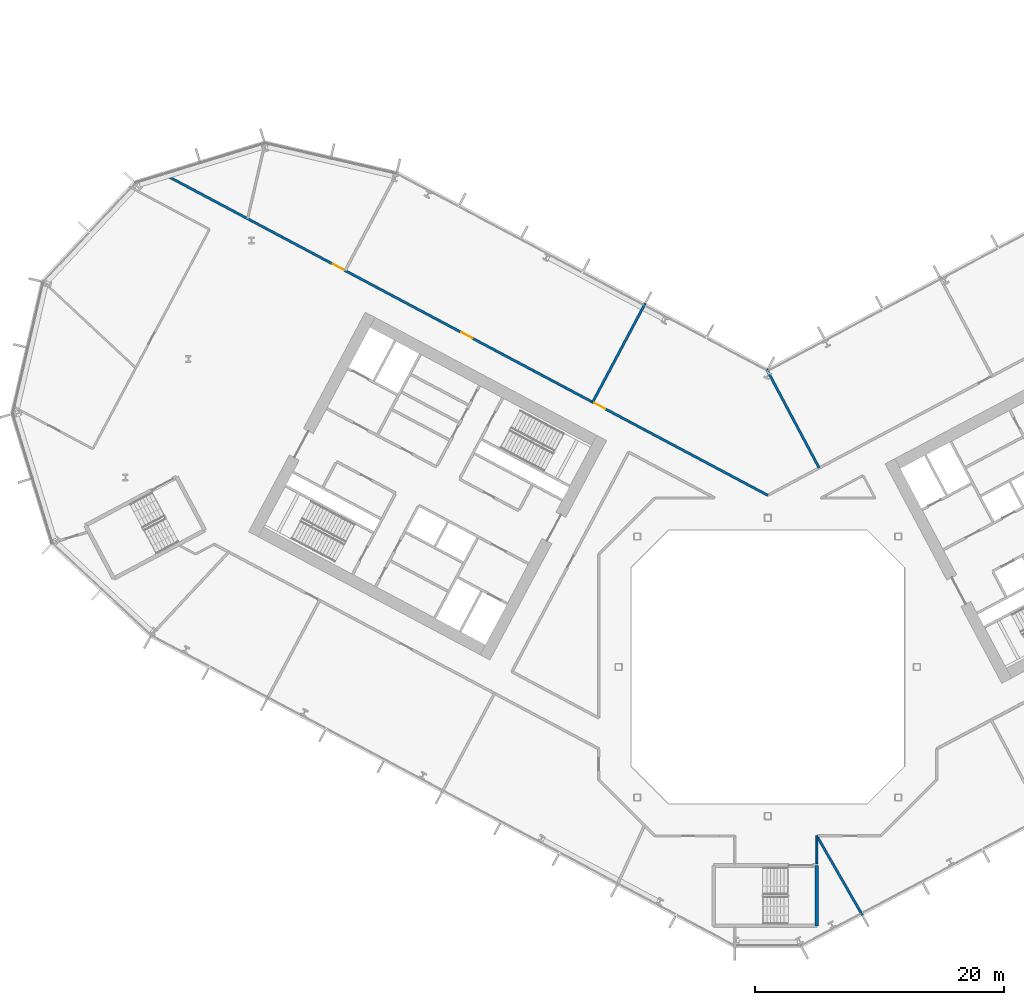
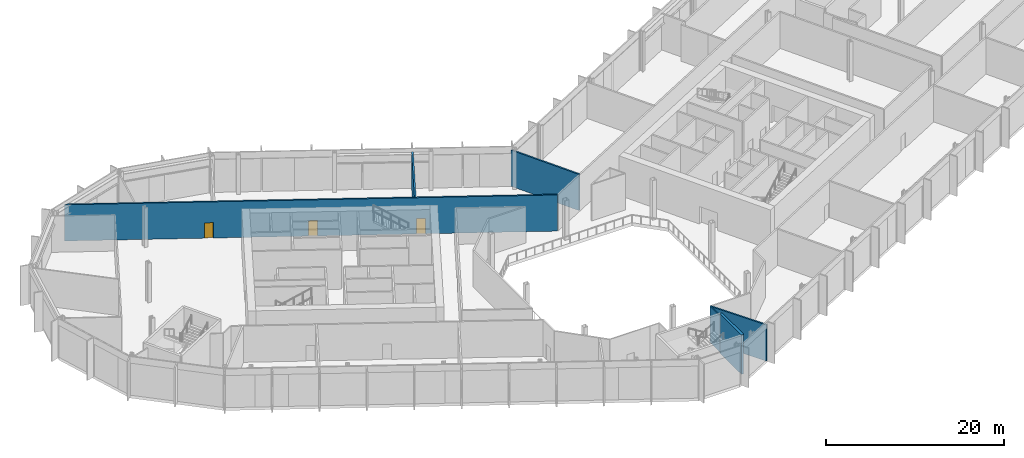
# One storey, part 14 of 31: 6 walls, 3 doors, 3 openings.
"""IFC4 building model written with IfcOpenShell, lengths in metres."""

from ifc_helpers import new_model, si_unit, direction, frame, frame_2d, origin, place, context, subcontext, project, spatial, rectangle, extrude, material, layer, layer_set, type_object, element, fill, save


model = new_model("IFC4")

# Units and contexts
model_context = context("Model", 3, precision=1e-05, world=origin(), true_north=direction((0.0, 1.0)))
body_context = subcontext(model_context, "Body", "Model", "MODEL_VIEW")
ifc_project = project(units=[si_unit("LENGTHUNIT", "METRE"), si_unit("AREAUNIT", "SQUARE_METRE"), si_unit("VOLUMEUNIT", "CUBIC_METRE"), si_unit("PLANEANGLEUNIT", "RADIAN"), si_unit("MASSUNIT", "GRAM", prefix="KILO")], contexts=[model_context])

# Site, building, storey
site_placement = place(None, origin())
site = spatial("IfcSite", under=ifc_project, at=site_placement, CompositionType="ELEMENT")
building_placement = place(site_placement, origin())
building = spatial("IfcBuilding", under=site, at=building_placement, Name="Cormorant Relay Tower", CompositionType="ELEMENT")
storey_placement = place(building_placement, frame((0.0, 0.0, 33.800048828125)))
storey = spatial("IfcBuildingStorey", under=building, at=storey_placement, Name="L06", CompositionType="ELEMENT", Elevation=33.800048828125)

# Wall, openings, doors
ifc_material_1 = material(Name="Fire-rated gypsum board partition")
ifc_layer_1 = layer(ifc_material_1, 0.199951171875)
ifc_layer_set_1 = layer_set([ifc_layer_1], Name="Fire-rated gypsum partition 200")
wall_type_1 = type_object("IfcWallType", Name="Fire-rated gypsum partition 200", PredefinedType="PARTITIONING", material=ifc_layer_set_1)
wall_1_placement = place(storey_placement, frame((-48.81396484375, 39.77001953125, 0.0), z_axis=(0.0, 0.0, 1.0), x_axis=(0.882945848707, -0.469474843043, 0.0)))
wall_1 = element("IfcWall", 1, at=wall_1_placement, inside=storey, type_object=wall_type_1, Name="wall/L06/part/8", PredefinedType="PARTITIONING", context=body_context, shape_type="SweptSolid", body=[
    extrude(rectangle(XDim=55.285400390625, YDim=0.199951171875, at=frame_2d((27.642578125, 0.0))), origin(), (0.0, 0.0, 1.0), 4.949951171875),
])
opening_1_placement = place(wall_1_placement, frame((39.465087890625, 0.0, 0.0)))
opening_1 = element("IfcOpeningElement", 2, at=opening_1_placement, cuts=wall_1, Name="Opening FD1-044", PredefinedType="OPENING", context=body_context, shape_type="SweptSolid", body=[
    extrude(rectangle(XDim=1.0, YDim=2.10009765625, at=frame_2d((0.5, 1.050048828125))), frame((0.0, 0.10986328125, 0.0), z_axis=(0.0, -1.0, 0.0), x_axis=(1.0, 0.0, 0.0)), (0.0, 0.0, 1.0), 0.219970703125),
])
opening_2_placement = place(wall_1_placement, frame((27.365966796875, 0.0, 0.0)))
opening_2 = element("IfcOpeningElement", 3, at=opening_2_placement, cuts=wall_1, Name="Opening FD1-045", PredefinedType="OPENING", context=body_context, shape_type="SweptSolid", body=[
    extrude(rectangle(XDim=1.0, YDim=2.10009765625, at=frame_2d((0.5, 1.050048828125))), frame((0.0, 0.10986328125, 0.0), z_axis=(0.0, -1.0, 0.0), x_axis=(1.0, 0.0, 0.0)), (0.0, 0.0, 1.0), 0.219970703125),
])
opening_3_placement = place(wall_1_placement, frame((15.6650390625, 0.0, 0.0)))
opening_3 = element("IfcOpeningElement", 4, at=opening_3_placement, cuts=wall_1, Name="Opening FD1-046", PredefinedType="OPENING", context=body_context, shape_type="SweptSolid", body=[
    extrude(rectangle(XDim=1.0, YDim=2.10009765625, at=frame_2d((0.5, 1.050048828125))), frame((0.0, 0.10986328125, 0.0), z_axis=(0.0, -1.0, 0.0), x_axis=(1.0, 0.0, 0.0)), (0.0, 0.0, 1.0), 0.219970703125),
])
ifc_material_2 = material(Name="Fire-rated steel door", Category="steel")
door_type = type_object("IfcDoorType", Name="Fire door 1000 x 2100", OperationType="SINGLE_SWING_LEFT", PredefinedType="DOOR", material=ifc_material_2)
door_1_placement = place(opening_1_placement, origin())
door_1 = element("IfcDoor", 5, at=door_1_placement, inside=storey, type_object=door_type, Name="door/L06/7", OperationType="SINGLE_SWING_LEFT", OverallHeight=2.10009765625, OverallWidth=1.0, PredefinedType="DOOR", context=body_context, shape_type="SweptSolid", body=[
    extrude(rectangle(XDim=1.0, YDim=2.10009765625, at=frame_2d((0.5, 1.050048828125))), frame((0.0, 0.02490234375, 0.0), z_axis=(0.0, -1.0, 0.0), x_axis=(1.0, 0.0, 0.0)), (0.0, 0.0, 1.0), 0.050048828125),
])
fill(opening_1, door_1)
door_2_placement = place(opening_2_placement, origin())
door_2 = element("IfcDoor", 6, at=door_2_placement, inside=storey, type_object=door_type, Name="door/L06/8", OperationType="SINGLE_SWING_RIGHT", OverallHeight=2.10009765625, OverallWidth=1.0, PredefinedType="DOOR", context=body_context, shape_type="SweptSolid", body=[
    extrude(rectangle(XDim=1.0, YDim=2.10009765625, at=frame_2d((0.5, 1.050048828125))), frame((0.0, 0.02490234375, 0.0), z_axis=(0.0, -1.0, 0.0), x_axis=(1.0, 0.0, 0.0)), (0.0, 0.0, 1.0), 0.050048828125),
])
fill(opening_2, door_2)
door_3_placement = place(opening_3_placement, origin())
door_3 = element("IfcDoor", 7, at=door_3_placement, inside=storey, type_object=door_type, Name="door/L06/9", OperationType="SINGLE_SWING_RIGHT", OverallHeight=2.10009765625, OverallWidth=1.0, PredefinedType="DOOR", context=body_context, shape_type="SweptSolid", body=[
    extrude(rectangle(XDim=1.0, YDim=2.10009765625, at=frame_2d((0.5, 1.050048828125))), frame((0.0, 0.02490234375, 0.0), z_axis=(0.0, -1.0, 0.0), x_axis=(1.0, 0.0, 0.0)), (0.0, 0.0, 1.0), 0.050048828125),
])
fill(opening_3, door_3)

# Walls
wall_2_placement = place(storey_placement, frame((-9.864013671875, 29.2548828125, 0.0), z_axis=(0.0, 0.0, 1.0), x_axis=(-0.469475779988, -0.88294535052, 0.0)))
element("IfcWall", 8, at=wall_2_placement, inside=storey, type_object=wall_type_1, Name="wall/L06/part/16", PredefinedType="PARTITIONING", context=body_context, shape_type="SweptSolid", body=[
    extrude(rectangle(XDim=9.001708984375, YDim=0.199951171875, at=frame_2d((4.5009765625, 0.0))), origin(), (0.0, 0.0, 1.0), 4.949951171875),
])
wall_3_placement = place(storey_placement, frame((-0.10595703125, 23.98388671875, 0.0), z_axis=(0.0, 0.0, 1.0), x_axis=(0.469539420252, -0.882911509059, 0.0)))
element("IfcWall", 9, at=wall_3_placement, inside=storey, type_object=wall_type_1, Name="wall/L06/part/20", PredefinedType="PARTITIONING", context=body_context, shape_type="SweptSolid", body=[
    extrude(rectangle(XDim=9.028076171875, YDim=0.199951171875, at=frame_2d((4.51416015625, 0.0))), origin(), (0.0, 0.0, 1.0), 4.949951171875),
])
wall_4_placement = place(storey_placement, frame((7.60888671875, -19.965087890625, 0.0), z_axis=(0.0, 0.0, 1.0), x_axis=(-0.498246245443, 0.867035569571, 0.0)))
element("IfcWall", 10, at=wall_4_placement, inside=storey, type_object=wall_type_1, Name="wall/L06/part/31", PredefinedType="PARTITIONING", context=body_context, shape_type="SweptSolid", body=[
    extrude(rectangle(XDim=7.34375, YDim=0.199951171875, at=frame_2d((3.671875, 0.0))), origin(), (0.0, 0.0, 1.0), 4.949951171875),
])
ifc_material_3 = material(Name="Gypsum board partition")
ifc_layer_2 = layer(ifc_material_3, 0.14990234375)
ifc_layer_set_2 = layer_set([ifc_layer_2], Name="Gypsum board partition 150")
wall_type_2 = type_object("IfcWallType", Name="Gypsum board partition 150", PredefinedType="PARTITIONING", material=ifc_layer_set_2)
wall_5_placement = place(storey_placement, frame((3.949951171875, -13.597900390625, 0.0), z_axis=(0.0, 0.0, 1.0), x_axis=(0.0, -1.0, 0.0)))
element("IfcWall", 11, at=wall_5_placement, inside=storey, type_object=wall_type_2, Name="wall/L06/part/27", PredefinedType="PARTITIONING", context=body_context, shape_type="SweptSolid", body=[
    extrude(rectangle(XDim=2.2421875, YDim=0.14990234375, at=frame_2d((1.12109375, 0.0))), origin(), (0.0, 0.0, 1.0), 4.949951171875),
])
ifc_material_4 = material(Name="Concrete 50 MPa", Category="concrete")
ifc_layer_3 = layer(ifc_material_4, 0.300048828125)
ifc_layer_set_3 = layer_set([ifc_layer_3], Name="Remote stair wall 300")
wall_type_3 = type_object("IfcWallType", Name="Remote stair wall 300", PredefinedType="SHEAR", material=ifc_layer_set_3)
wall_6_placement = place(storey_placement, frame((3.949951171875, -15.97509765625, 0.0), z_axis=(0.0, 0.0, 1.0), x_axis=(0.0, -1.0, 0.0)))
element("IfcWall", 12, at=wall_6_placement, inside=storey, type_object=wall_type_3, Name="L06 exit stair RK1 wall", PredefinedType="SHEAR", context=body_context, shape_type="SweptSolid", body=[
    extrude(rectangle(XDim=4.849853515625, YDim=0.300048828125, at=frame_2d((2.4248046875, 0.0))), origin(), (0.0, 0.0, 1.0), 5.39990234375),
])

save(model, "model.ifc")
